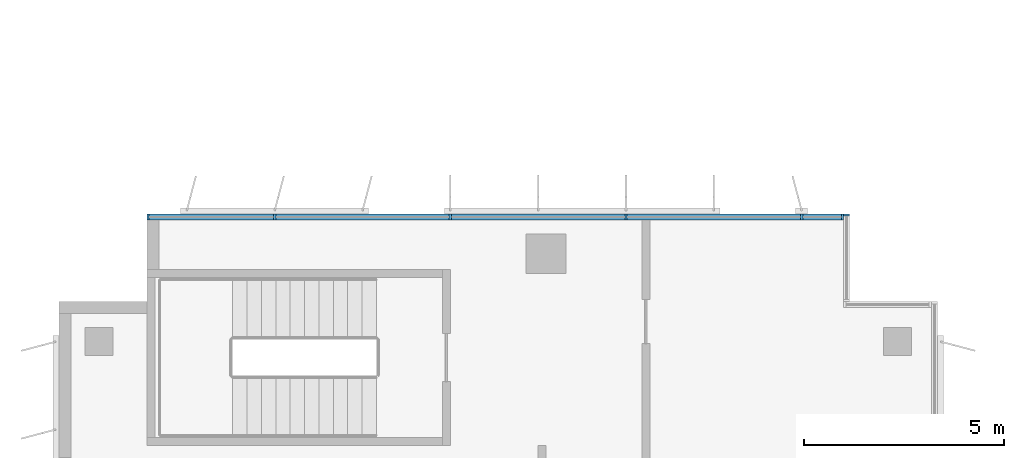
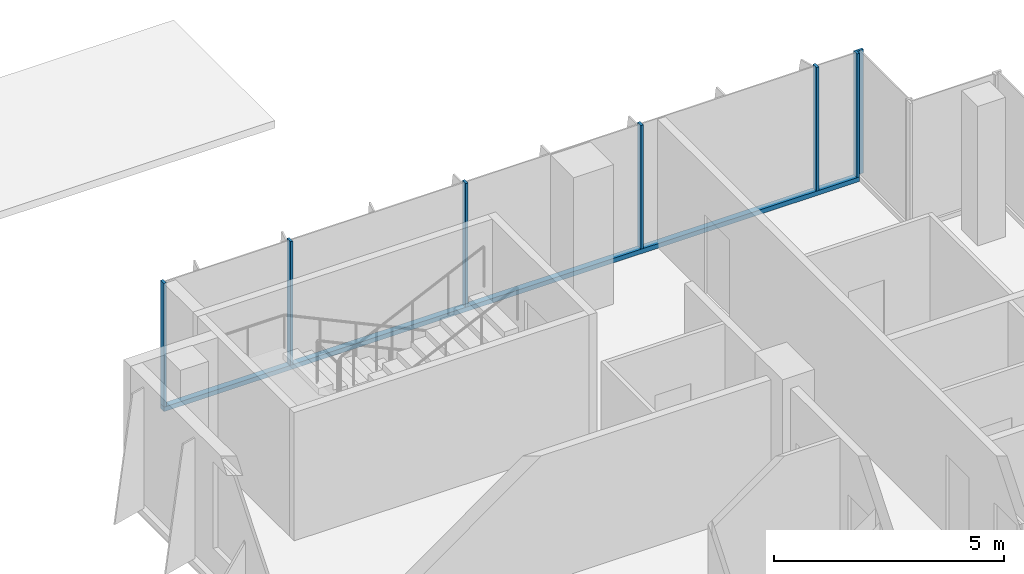
# One storey, part 9 of 21: 8 members, 2 elements without a shape of their own.
"""IFC4 building model written with IfcOpenShell, lengths in metres."""

from ifc_helpers import new_model, si_unit, direction, frame, origin, origin_2d, place, context, subcontext, project, spatial, rectangle, extrude, source, transform, mapped, material, material_profile, profile_set, type_object, element, aggregate, save


model = new_model("IFC4")

# Units and contexts
model_context = context("Model", 3, precision=1e-05, world=origin(), true_north=direction((0.0, 1.0)))
body_context = subcontext(model_context, "Body", "Model", "MODEL_VIEW")
ifc_project = project(units=[si_unit("LENGTHUNIT", "METRE"), si_unit("AREAUNIT", "SQUARE_METRE"), si_unit("VOLUMEUNIT", "CUBIC_METRE"), si_unit("PLANEANGLEUNIT", "RADIAN"), si_unit("MASSUNIT", "GRAM", prefix="KILO")], contexts=[model_context])

# Site, building, storey
site_placement = place(None, origin())
site = spatial("IfcSite", under=ifc_project, at=site_placement, CompositionType="ELEMENT")
building_placement = place(site_placement, origin())
building = spatial("IfcBuilding", under=site, at=building_placement, Name="Kemantara Hotel Tower", CompositionType="ELEMENT")
storey_placement = place(building_placement, frame((0.0, 0.0, 156.800048828125)))
storey = spatial("IfcBuildingStorey", under=building, at=storey_placement, Name="L38", CompositionType="ELEMENT", Elevation=156.800048828125)

# Curtain wall, members
ifc_material_1 = material(Name="Low-E tinted double insulated glass 36 mm", Category="glass")
curtain_wall_type = type_object("IfcCurtainWallType", Name="TOWER CURTAIN WALL, FRONT FACES", PredefinedType="USERDEFINED", material=ifc_material_1)
curtain_wall_1_placement = place(storey_placement, origin())
curtain_wall_1 = element("IfcCurtainWall", 1, at=curtain_wall_1_placement, inside=storey, type_object=curtain_wall_type, Name="CW4 L38 T3-R02-1", ObjectType="TOWER CURTAIN WALL, FRONT FACES", PredefinedType="USERDEFINED")
ifc_material_2 = material(Name="Aluminium 6063-T6 bronze anodised", Category="aluminium")
ifc_material_profile_1 = material_profile(ifc_material_2, rectangle(XDim=0.14990234375, YDim=0.1201171875, at=origin_2d()), Name="TOWER CURTAIN WALL, FRONT FACES TRANSOM")
ifc_profile_set_1 = profile_set([ifc_material_profile_1], Name="Aluminium 6063-T6 bronze anodised")
member_type_1 = type_object("IfcMemberType", Name="TOWER CURTAIN WALL, FRONT FACES TRANSOM", PredefinedType="USERDEFINED", material=ifc_profile_set_1)
member_1_placement = place(storey_placement, frame((19.64990234375, 63.52490234375, 0.06005859375), z_axis=(-1.0, 0.0, 0.0), x_axis=(0.0, -1.0, 0.0)))
member_1 = element("IfcMember", 2, at=member_1_placement, type_object=member_type_1, Name="CW4 sill transom T3-R02-1", ObjectType="TRANSOM", PredefinedType="USERDEFINED", context=body_context, shape_type="SweptSolid", body=[
    extrude(rectangle(XDim=0.14990234375, YDim=0.1201171875, at=origin_2d()), origin(), (0.0, 0.0, 1.0), 17.449951171875),
])
ifc_material_profile_2 = material_profile(ifc_material_2, rectangle(XDim=0.14990234375, YDim=0.06005859375, at=origin_2d()), Name="TOWER CURTAIN WALL, FRONT FACES MULLION")
ifc_profile_set_2 = profile_set([ifc_material_profile_2], Name="Aluminium 6063-T6 bronze anodised")
member_type_2 = type_object("IfcMemberType", Name="TOWER CURTAIN WALL, FRONT FACES MULLION", PredefinedType="MULLION", material=ifc_profile_set_2)
shared_shape = source(origin(), body_context, "Body", "SweptSolid", [
    extrude(rectangle(XDim=0.14990234375, YDim=0.06005859375, at=origin_2d()), origin(), (0.0, 0.0, 1.0), 3.280029296875),
])
member_2_placement = place(storey_placement, frame((19.6201171875, 63.52490234375, 0.119873046875), z_axis=(0.0, 0.0, 1.0), x_axis=(0.0, -1.0, 0.0)))
member_2 = element("IfcMember", 3, at=member_2_placement, type_object=member_type_2, Name="CW4 mullion T3-R02-1.1", PredefinedType="MULLION", context=body_context, shape_type="MappedRepresentation", body=[
    mapped(shared_shape, transform((0.0, 0.0, 0.0))),
])
member_3_placement = place(storey_placement, frame((18.60009765625, 63.52490234375, 0.119873046875), z_axis=(0.0, 0.0, 1.0), x_axis=(0.0, -1.0, 0.0)))
member_3 = element("IfcMember", 4, at=member_3_placement, type_object=member_type_2, Name="CW4 mullion T3-R02-1.2", PredefinedType="MULLION", context=body_context, shape_type="MappedRepresentation", body=[
    mapped(shared_shape, transform((0.0, 0.0, 0.0))),
])
member_4_placement = place(storey_placement, frame((14.199951171875, 63.52490234375, 0.119873046875), z_axis=(0.0, 0.0, 1.0), x_axis=(0.0, -1.0, 0.0)))
member_4 = element("IfcMember", 5, at=member_4_placement, type_object=member_type_2, Name="CW4 mullion T3-R02-1.3", PredefinedType="MULLION", context=body_context, shape_type="MappedRepresentation", body=[
    mapped(shared_shape, transform((0.0, 0.0, 0.0))),
])
member_5_placement = place(storey_placement, frame((9.800048828125, 63.52490234375, 0.119873046875), z_axis=(0.0, 0.0, 1.0), x_axis=(0.0, -1.0, 0.0)))
member_5 = element("IfcMember", 6, at=member_5_placement, type_object=member_type_2, Name="CW4 mullion T3-R02-1.4", PredefinedType="MULLION", context=body_context, shape_type="MappedRepresentation", body=[
    mapped(shared_shape, transform((0.0, 0.0, 0.0))),
])
member_6_placement = place(storey_placement, frame((5.39990234375, 63.52490234375, 0.119873046875), z_axis=(0.0, 0.0, 1.0), x_axis=(0.0, -1.0, 0.0)))
member_6 = element("IfcMember", 7, at=member_6_placement, type_object=member_type_2, Name="CW4 mullion T3-R02-1.5", PredefinedType="MULLION", context=body_context, shape_type="MappedRepresentation", body=[
    mapped(shared_shape, transform((0.0, 0.0, 0.0))),
])
member_7_placement = place(storey_placement, frame((2.22998046875, 63.52490234375, 0.119873046875), z_axis=(0.0, 0.0, 1.0), x_axis=(0.0, -1.0, 0.0)))
member_7 = element("IfcMember", 8, at=member_7_placement, type_object=member_type_2, Name="CW4 mullion T3-R02-1.6", PredefinedType="MULLION", context=body_context, shape_type="MappedRepresentation", body=[
    mapped(shared_shape, transform((0.0, 0.0, 0.0))),
])
aggregate(curtain_wall_1, [member_1, member_2, member_3, member_4, member_5, member_6, member_7])

# Curtain wall, member
curtain_wall_2_placement = place(storey_placement, origin())
curtain_wall_2 = element("IfcCurtainWall", 9, at=curtain_wall_2_placement, inside=storey, type_object=curtain_wall_type, Name="CW4 L38 T3-R01-1", ObjectType="TOWER CURTAIN WALL, FRONT FACES", PredefinedType="USERDEFINED")
member_8_placement = place(storey_placement, frame((19.72509765625, 63.570068359375, 0.119873046875), z_axis=(0.0, 0.0, 1.0), x_axis=(-1.0, 0.0, 0.0)))
member_8 = element("IfcMember", 10, at=member_8_placement, type_object=member_type_2, Name="CW4 mullion T3-R01-1.2", PredefinedType="MULLION", context=body_context, shape_type="MappedRepresentation", body=[
    mapped(shared_shape, transform((0.0, 0.0, 0.0))),
])
aggregate(curtain_wall_2, [member_8])

save(model, "model.ifc")
